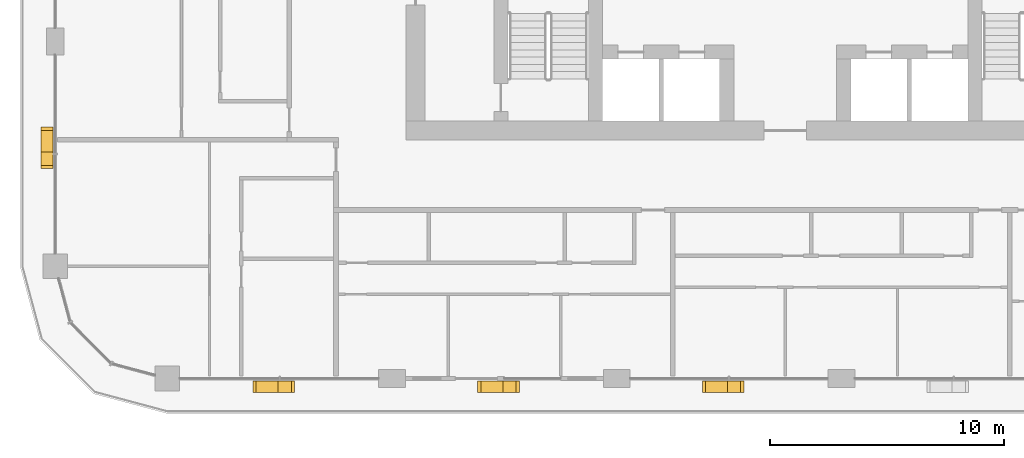
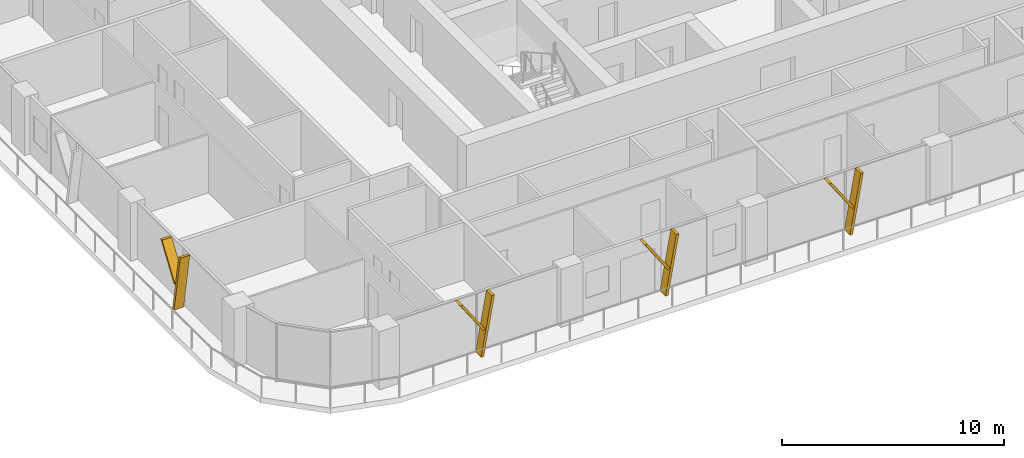
# One storey, part 17 of 23: 8 shading devices.
"""IFC4 building model written with IfcOpenShell, lengths in metres."""

from ifc_helpers import new_model, si_unit, direction, frame, origin, place, context, subcontext, project, spatial, polyline, outline, extrude, material, type_object, element, save


model = new_model("IFC4")

# Units and contexts
model_context = context("Model", 3, precision=1e-05, world=origin(), true_north=direction((0.0, 1.0)))
body_context = subcontext(model_context, "Body", "Model", "MODEL_VIEW")
ifc_project = project(units=[si_unit("LENGTHUNIT", "METRE"), si_unit("AREAUNIT", "SQUARE_METRE"), si_unit("VOLUMEUNIT", "CUBIC_METRE"), si_unit("PLANEANGLEUNIT", "RADIAN"), si_unit("MASSUNIT", "GRAM", prefix="KILO")], contexts=[model_context])

# Site, building, storey
site_placement = place(None, origin())
site = spatial("IfcSite", under=ifc_project, at=site_placement, CompositionType="ELEMENT")
building_placement = place(site_placement, origin())
building = spatial("IfcBuilding", under=site, at=building_placement, Name="Madar Terraces", CompositionType="ELEMENT")
storey_placement = place(building_placement, frame((0.0, 0.0, 133.10009765625)))
storey = spatial("IfcBuildingStorey", under=building, at=storey_placement, Name="L34", CompositionType="ELEMENT", Elevation=133.10009765625)

# Shading devices
ifc_material = material(Name="Aluminium, black anodised", Category="aluminium")
shading_device_type = type_object("IfcShadingDeviceType", Name="Facade fin blade 140 x 500", PredefinedType="USERDEFINED", material=ifc_material)
shading_device_1_placement = place(storey_placement, frame((9.530029296875, 4.449951171875, 0.0), z_axis=(0.0, 0.0, 1.0), x_axis=(1.0, 0.0, 0.0)))
element("IfcShadingDevice", 1, at=shading_device_1_placement, inside=storey, type_object=shading_device_type, Name="FIN L34 S1", ObjectType="FIN", PredefinedType="USERDEFINED", context=body_context, shape_type="SweptSolid", body=[
    extrude(outline(polyline([(0.0, 0.0), (0.139892578125, 0.0), (0.704345703125, 3.199951171875), (0.564208984375, 3.199951171875), (0.0, 0.0)])), frame((0.0, 0.25, 0.0), z_axis=(0.0, -1.0, 0.0), x_axis=(1.0, 0.0, 0.0)), (0.0, 0.0, 1.0), 0.5),
])
shading_device_2_placement = place(storey_placement, frame((9.643798828125, 4.449951171875, 1.43994140625), z_axis=(0.0, 0.0, 1.0), x_axis=(1.0, 0.0, 0.0)))
element("IfcShadingDevice", 2, at=shading_device_2_placement, inside=storey, type_object=shading_device_type, Name="FIN L34 S1 branch", ObjectType="FIN", PredefinedType="USERDEFINED", context=body_context, shape_type="SweptSolid", body=[
    extrude(outline(polyline([(0.0, 0.0), (0.14013671875, 0.0), (-1.049560546875, 1.760009765625), (-1.189697265625, 1.760009765625), (0.0, 0.0)])), frame((0.0, 0.25, 0.0), z_axis=(0.0, -1.0, 0.0), x_axis=(1.0, 0.0, 0.0)), (0.0, 0.0, 1.0), 0.5),
])
shading_device_3_placement = place(storey_placement, frame((19.1298828125, 4.449951171875, 0.0), z_axis=(0.0, 0.0, 1.0), x_axis=(1.0, 0.0, 0.0)))
element("IfcShadingDevice", 3, at=shading_device_3_placement, inside=storey, type_object=shading_device_type, Name="FIN L34 S2", ObjectType="FIN", PredefinedType="USERDEFINED", context=body_context, shape_type="SweptSolid", body=[
    extrude(outline(polyline([(0.0, 0.0), (0.14013671875, 0.0), (0.704345703125, 3.199951171875), (0.564208984375, 3.199951171875), (0.0, 0.0)])), frame((0.0, 0.25, 0.0), z_axis=(0.0, -1.0, 0.0), x_axis=(1.0, 0.0, 0.0)), (0.0, 0.0, 1.0), 0.5),
])
shading_device_4_placement = place(storey_placement, frame((19.243896484375, 4.449951171875, 1.43994140625), z_axis=(0.0, 0.0, 1.0), x_axis=(1.0, 0.0, 0.0)))
element("IfcShadingDevice", 4, at=shading_device_4_placement, inside=storey, type_object=shading_device_type, Name="FIN L34 S2 branch", ObjectType="FIN", PredefinedType="USERDEFINED", context=body_context, shape_type="SweptSolid", body=[
    extrude(outline(polyline([(0.0, 0.0), (0.139892578125, 0.0), (-1.049560546875, 1.760009765625), (-1.189697265625, 1.760009765625), (0.0, 0.0)])), frame((0.0, 0.25, 0.0), z_axis=(0.0, -1.0, 0.0), x_axis=(1.0, 0.0, 0.0)), (0.0, 0.0, 1.0), 0.5),
])
shading_device_5_placement = place(storey_placement, frame((28.72998046875, 4.449951171875, 0.0), z_axis=(0.0, 0.0, 1.0), x_axis=(1.0, 0.0, 0.0)))
element("IfcShadingDevice", 5, at=shading_device_5_placement, inside=storey, type_object=shading_device_type, Name="FIN L34 S3", ObjectType="FIN", PredefinedType="USERDEFINED", context=body_context, shape_type="SweptSolid", body=[
    extrude(outline(polyline([(0.0, 0.0), (0.14013671875, 0.0), (0.704345703125, 3.199951171875), (0.564208984375, 3.199951171875), (0.0, 0.0)])), frame((0.0, 0.25, 0.0), z_axis=(0.0, -1.0, 0.0), x_axis=(1.0, 0.0, 0.0)), (0.0, 0.0, 1.0), 0.5),
])
shading_device_6_placement = place(storey_placement, frame((28.843994140625, 4.449951171875, 1.43994140625), z_axis=(0.0, 0.0, 1.0), x_axis=(1.0, 0.0, 0.0)))
element("IfcShadingDevice", 6, at=shading_device_6_placement, inside=storey, type_object=shading_device_type, Name="FIN L34 S3 branch", ObjectType="FIN", PredefinedType="USERDEFINED", context=body_context, shape_type="SweptSolid", body=[
    extrude(outline(polyline([(0.0, 0.0), (0.139892578125, 0.0), (-1.049560546875, 1.760009765625), (-1.189697265625, 1.760009765625), (0.0, 0.0)])), frame((0.0, 0.25, 0.0), z_axis=(0.0, -1.0, 0.0), x_axis=(1.0, 0.0, 0.0)), (0.0, 0.0, 1.0), 0.5),
])
shading_device_7_placement = place(storey_placement, frame((-0.35009765625, 14.469970703125, 0.0), z_axis=(0.0, 0.0, 1.0), x_axis=(0.0, -1.0, 0.0)))
element("IfcShadingDevice", 7, at=shading_device_7_placement, inside=storey, type_object=shading_device_type, Name="FIN L34 W4", ObjectType="FIN", PredefinedType="USERDEFINED", context=body_context, shape_type="SweptSolid", body=[
    extrude(outline(polyline([(0.0, 0.0), (0.139892578125, 0.0), (0.704345703125, 3.199951171875), (0.564208984375, 3.199951171875), (0.0, 0.0)])), frame((0.0, 0.25, 0.0), z_axis=(0.0, -1.0, 0.0), x_axis=(1.0, 0.0, 0.0)), (0.0, 0.0, 1.0), 0.5),
])
shading_device_8_placement = place(storey_placement, frame((-0.35009765625, 14.356201171875, 1.43994140625), z_axis=(0.0, 0.0, 1.0), x_axis=(0.0, -1.0, 0.0)))
element("IfcShadingDevice", 8, at=shading_device_8_placement, inside=storey, type_object=shading_device_type, Name="FIN L34 W4 branch", ObjectType="FIN", PredefinedType="USERDEFINED", context=body_context, shape_type="SweptSolid", body=[
    extrude(outline(polyline([(0.0, 0.0), (0.14013671875, 0.0), (-1.049560546875, 1.760009765625), (-1.189697265625, 1.760009765625), (0.0, 0.0)])), frame((0.0, 0.25, 0.0), z_axis=(0.0, -1.0, 0.0), x_axis=(1.0, 0.0, 0.0)), (0.0, 0.0, 1.0), 0.5),
])

save(model, "model.ifc")
